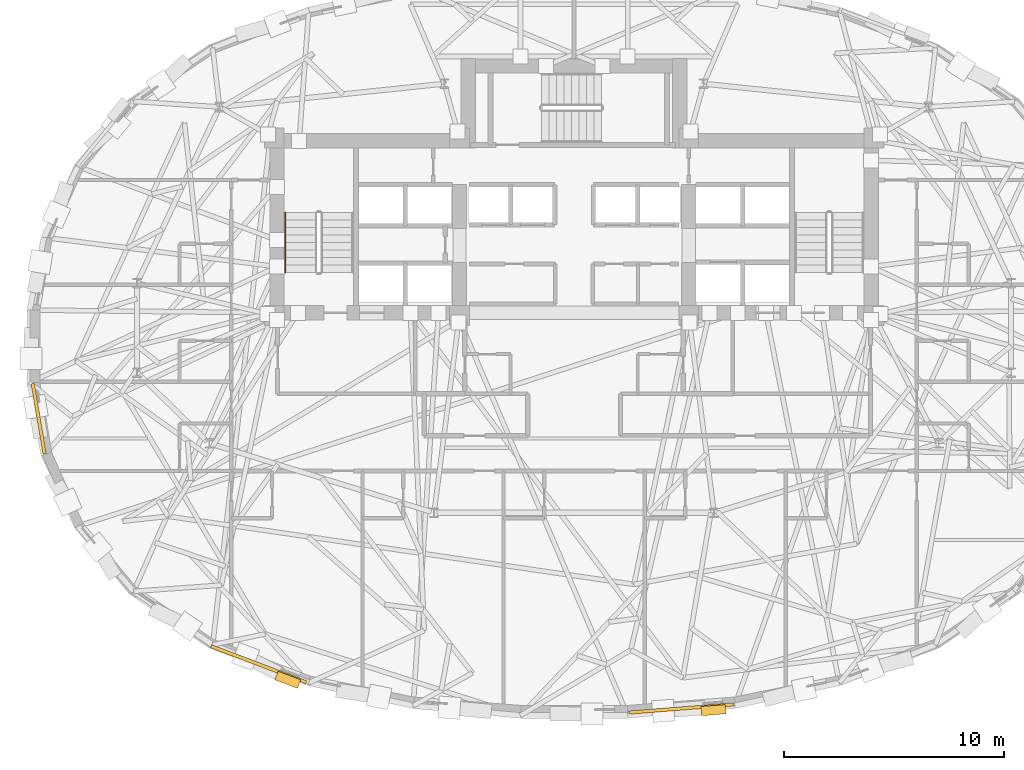
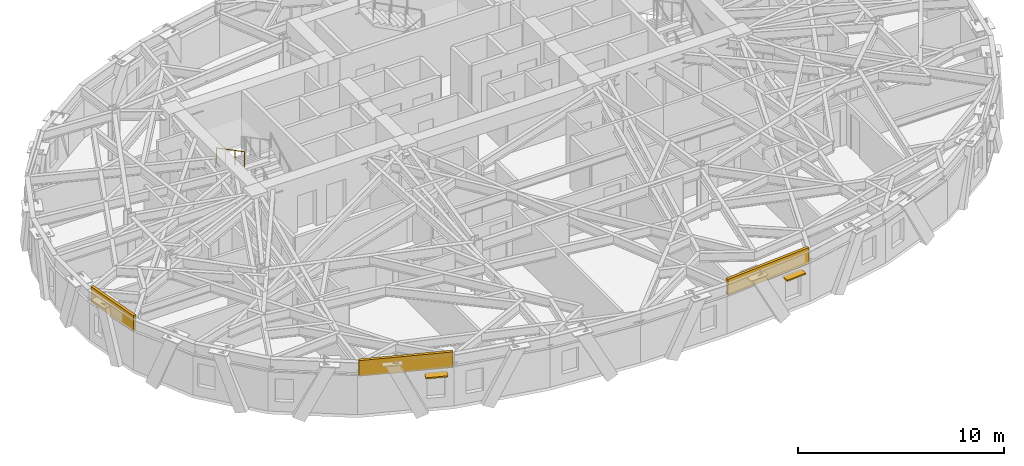
# One storey, part 12 of 15: 3 coverings, 2 shading devices, 1 railing.
"""IFC4 building model written with IfcOpenShell, lengths in metres."""

from ifc_helpers import new_model, si_unit, direction, frame, origin, origin_2d, place, context, subcontext, project, spatial, rectangle, circle, extrude, material, layer, layer_set, type_object, element, save


model = new_model("IFC4")

# Units and contexts
model_context = context("Model", 3, precision=1e-05, world=origin(), true_north=direction((0.0, 1.0)))
body_context = subcontext(model_context, "Body", "Model", "MODEL_VIEW")
ifc_project = project(units=[si_unit("LENGTHUNIT", "METRE"), si_unit("AREAUNIT", "SQUARE_METRE"), si_unit("VOLUMEUNIT", "CUBIC_METRE"), si_unit("PLANEANGLEUNIT", "RADIAN"), si_unit("MASSUNIT", "GRAM", prefix="KILO")], contexts=[model_context])

# Site, building, storey
site_placement = place(None, origin())
site = spatial("IfcSite", under=ifc_project, at=site_placement, CompositionType="ELEMENT")
building_placement = place(site_placement, origin())
building = spatial("IfcBuilding", under=site, at=building_placement, Name="Keldmark Tower", CompositionType="ELEMENT")
storey_placement = place(building_placement, frame((0.0, 0.0, 150.199951171875)))
storey = spatial("IfcBuildingStorey", under=building, at=storey_placement, Name="L40", CompositionType="ELEMENT", Elevation=150.199951171875)

# Shading devices
ifc_material_1 = material(Name="Kasota Buff Limestone Bullnose and Bronze Anodized Aluminum", Category="masonry")
ifc_layer_1 = layer(ifc_material_1, 0.080078125)
ifc_layer_set_1 = layer_set([ifc_layer_1], Name="Kasota Buff Limestone Bullnose and Bronze Anodized Aluminum")
shading_device_type = type_object("IfcShadingDeviceType", Name="Deep-Set Punched Window Stone-and-Metal Sunshade", PredefinedType="AWNING", material=ifc_layer_set_1)
for number, where, z_axis, x_axis, name in (
    (1, (-12.98583984375, -15.125244140625, 1.93994140625), (0.0, 0.0, 1.0), (-0.934875249569, 0.354976432659, 0.0), "L40 Kasota Stone Window Sunshade 21"),
    (2, (6.32373046875, -16.501708984375, 1.93994140625), (0.0, 0.0, 1.0), (-0.996946023532, -0.078093701179, 0.0), "L40 Kasota Stone Window Sunshade 25"),
):
    element("IfcShadingDevice", number, at=place(storey_placement, frame(where, z_axis=z_axis, x_axis=x_axis)), inside=storey, type_object=shading_device_type, Name=name, PredefinedType="AWNING", context=body_context, shape_type="SweptSolid", body=[
        extrude(rectangle(XDim=1.10009765625, YDim=0.419921875, at=origin_2d()), origin(), (0.0, 0.0, 1.0), 0.080078125),
    ])

# Coverings
ifc_material_2 = material(Name="Honed Kasota Buff Dolomitic Limestone", Category="masonry")
ifc_layer_2 = layer(ifc_material_2, 0.074951171875)
ifc_layer_set_2 = layer_set([ifc_layer_2], Name="Honed Kasota Buff Dolomitic Limestone")
covering_type = type_object("IfcCoveringType", Name="Kasota Buff Limestone Spandrel Cladding Band", PredefinedType="CLADDING", material=ifc_layer_set_2)
covering_1_placement = place(storey_placement, frame((-24.28564453125, -3.2841796875, 2.239013671875), z_axis=(0.0, 0.0, 1.0), x_axis=(0.168059269265, -0.985776892615, 0.0)))
element("IfcCovering", 3, at=covering_1_placement, inside=storey, type_object=covering_type, Name="L40 Kasota Limestone Spandrel Band 17", PredefinedType="CLADDING", context=body_context, shape_type="SweptSolid", body=[
    extrude(rectangle(XDim=3.23828125, YDim=0.14990234375, at=origin_2d()), origin(), (0.0, 0.0, 1.0), 0.94091796875),
])
covering_2_placement = place(storey_placement, frame((-14.302490234375, -14.422119140625, 2.239013671875), z_axis=(0.0, 0.0, 1.0), x_axis=(0.934875249569, -0.354976432659, 0.0)))
element("IfcCovering", 4, at=covering_2_placement, inside=storey, type_object=covering_type, Name="L40 Kasota Limestone Spandrel Band 21", PredefinedType="CLADDING", context=body_context, shape_type="SweptSolid", body=[
    extrude(rectangle(XDim=4.634521484375, YDim=0.14990234375, at=origin_2d()), origin(), (0.0, 0.0, 1.0), 0.94091796875),
])
covering_3_placement = place(storey_placement, frame((4.86376953125, -16.425537109375, 2.239013671875), z_axis=(0.0, 0.0, 1.0), x_axis=(0.996946023532, 0.078093701179, 0.0)))
element("IfcCovering", 5, at=covering_3_placement, inside=storey, type_object=covering_type, Name="L40 Kasota Limestone Spandrel Band 25", PredefinedType="CLADDING", context=body_context, shape_type="SweptSolid", body=[
    extrude(rectangle(XDim=4.77880859375, YDim=0.14990234375, at=origin_2d()), origin(), (0.0, 0.0, 1.0), 0.94091796875),
])

# Railing
ifc_material_3 = material(Name="Stainless Steel AISI 316L", Category="steel")
railing_type = type_object("IfcRailingType", Name="Stainless Steel Stair Handrail 900 mm", PredefinedType="HANDRAIL", material=ifc_material_3)
railing_placement = place(storey_placement, frame((-13.10009765625, 6.070068359375, 1.77783203125)))
element("IfcRailing", 6, at=railing_placement, inside=storey, type_object=railing_type, Name="L40 ST1 stair handrail 2", PredefinedType="HANDRAIL", context=body_context, shape_type="SweptSolid", body=[
    extrude(circle(Radius=0.02392578125, at=origin_2d()), frame((0.0, 0.0, 0.8759765625), z_axis=(0.0, -0.886183135912, 0.463335137482), x_axis=(1.0, 0.0, 0.0)), (0.0, 0.0, 1.0), 3.0693359375),
    extrude(circle(Radius=0.02099609375, at=origin_2d()), origin(), (0.0, 0.0, 1.0), 0.851806640625),
    extrude(circle(Radius=0.02099609375, at=origin_2d()), frame((0.0, -0.90673828125, 0.47412109375)), (0.0, 0.0, 1.0), 0.851806640625),
    extrude(circle(Radius=0.02099609375, at=origin_2d()), frame((0.0, -1.813232421875, 0.947998046875)), (0.0, 0.0, 1.0), 0.851806640625),
    extrude(circle(Radius=0.02099609375, at=origin_2d()), frame((0.0, -2.719970703125, 1.422119140625)), (0.0, 0.0, 1.0), 0.851806640625),
])

save(model, "model.ifc")
